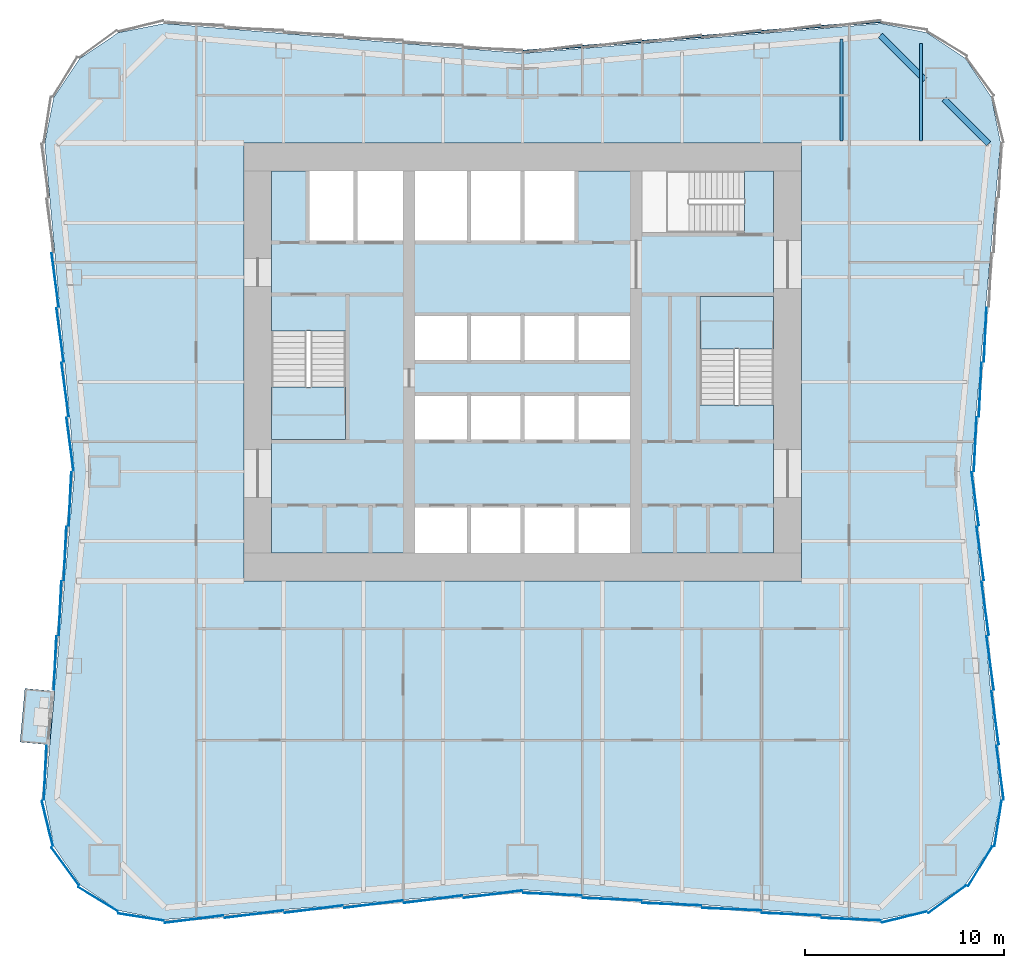
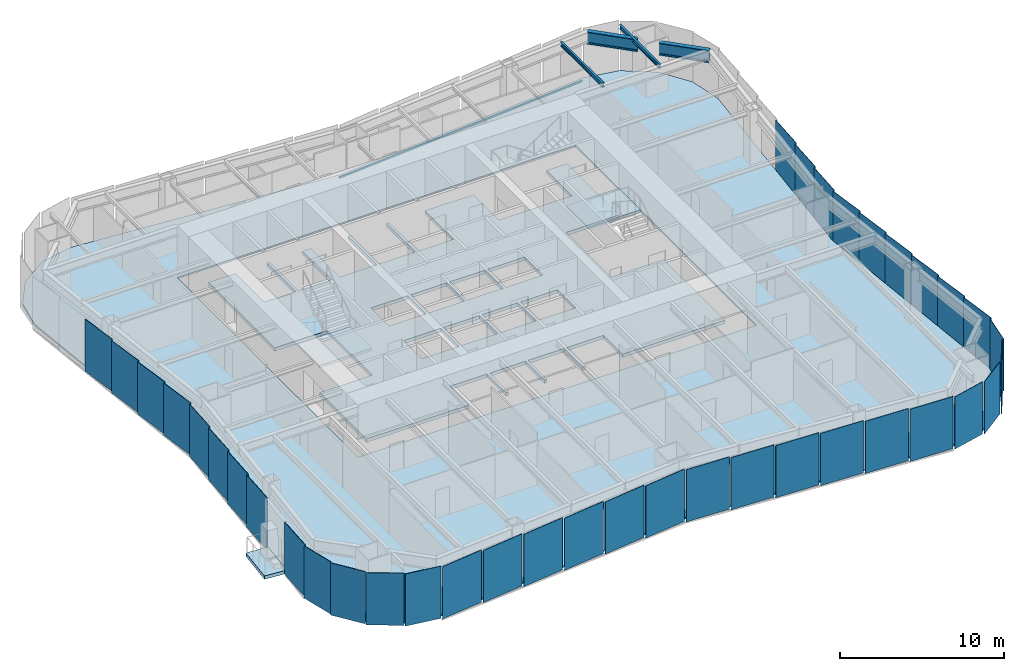
# One storey, part 2 of 8: 38 plates, 5 slabs, 4 beams, 1 member, 8 elements without a shape of their own.
"""IFC4 building model written with IfcOpenShell, lengths in metres."""

from ifc_helpers import new_model, si_unit, direction, frame, origin, origin_2d, place, context, subcontext, project, spatial, polyline, rectangle, i_section, outline, extrude, material, layer, layer_set, material_profile, profile_set, type_object, element, aggregate, save


model = new_model("IFC4")

# Units and contexts
model_context = context("Model", 3, precision=1e-05, world=origin(), true_north=direction((0.0, 1.0)))
body_context = subcontext(model_context, "Body", "Model", "MODEL_VIEW")
ifc_project = project(units=[si_unit("LENGTHUNIT", "METRE"), si_unit("AREAUNIT", "SQUARE_METRE"), si_unit("VOLUMEUNIT", "CUBIC_METRE"), si_unit("PLANEANGLEUNIT", "RADIAN"), si_unit("MASSUNIT", "GRAM", prefix="KILO")], contexts=[model_context])

# Site, building, storey
site_placement = place(None, origin())
site = spatial("IfcSite", under=ifc_project, at=site_placement, CompositionType="ELEMENT")
building_placement = place(site_placement, origin())
building = spatial("IfcBuilding", under=site, at=building_placement, Name="Verdant Reach Tower", CompositionType="ELEMENT")
storey_placement = place(building_placement, frame((0.0, 0.0, 46.0)))
storey = spatial("IfcBuildingStorey", under=building, at=storey_placement, Name="L10", CompositionType="ELEMENT", Elevation=46.0)

# Curtain wall, member
ifc_material_1 = material(Name="Anodised aluminium", Category="aluminium")
curtain_wall_type = type_object("IfcCurtainWallType", Name="EN-CW SYSTEM Z0", PredefinedType="NOTDEFINED", material=ifc_material_1)
curtain_wall_1_placement = place(storey_placement, origin())
curtain_wall_1 = element("IfcCurtainWall", 1, at=curtain_wall_1_placement, inside=storey, type_object=curtain_wall_type, Name="Curtain wall north, L10", PredefinedType="NOTDEFINED")
ifc_material_profile_1 = material_profile(ifc_material_1, rectangle(XDim=0.10009765625, YDim=0.1201171875, at=origin_2d()), Name="Transom 120x100")
ifc_profile_set_1 = profile_set([ifc_material_profile_1], Name="Anodised aluminium")
member_type = type_object("IfcMemberType", Name="EN-TRANSOM Z0", PredefinedType="USERDEFINED", material=ifc_profile_set_1)
member_placement = place(storey_placement, frame((17.975830078125, 45.097412109375, -0.2900390625), z_axis=(-0.996548656072, -0.083010698588, 0.0), x_axis=(0.083010698588, -0.996548656072, 0.0)))
member = element("IfcMember", 2, at=member_placement, type_object=member_type, Name="Transom north face part 1 1.1, L10", ObjectType="TRANSOM", PredefinedType="USERDEFINED", context=body_context, shape_type="SweptSolid", body=[
    extrude(rectangle(XDim=0.10009765625, YDim=0.1201171875, at=origin_2d()), origin(), (0.0, 0.0, 1.0), 18.00830078125),
])
aggregate(curtain_wall_1, [member])

# Beams
ifc_material_2 = material(Name="Steel S355", Category="steel")
ifc_material_profile_2 = material_profile(ifc_material_2, i_section(OverallWidth=0.14990234375, OverallDepth=0.300048828125, WebThickness=0.007080078125, FlangeThickness=0.0107421875, FilletRadius=0.014892578125, at=origin_2d()), Name="IPE 300")
ifc_profile_set_2 = profile_set([ifc_material_profile_2], Name="Steel S355")
beam_type_1 = type_object("IfcBeamType", Name="ST-JOIST-IPE300", PredefinedType="JOIST", material=ifc_profile_set_2)
beam_1_placement = place(storey_placement, frame((16.0, 39.10009765625, 3.719970703125), z_axis=(0.0, 1.0, 0.0), x_axis=(-1.0, 0.0, 0.0)))
element("IfcBeam", 3, at=beam_1_placement, inside=storey, type_object=beam_type_1, Name="Floor joist, L10", PredefinedType="JOIST", context=body_context, shape_type="SweptSolid", body=[
    extrude(i_section(OverallWidth=0.14990234375, OverallDepth=0.300048828125, WebThickness=0.007080078125, FlangeThickness=0.0107421875, FilletRadius=0.014892578125, at=origin_2d()), origin(), (0.0, 0.0, 1.0), 5.131103515625),
])
beam_2_placement = place(storey_placement, frame((20.0, 39.10009765625, 3.719970703125), z_axis=(0.0, 1.0, 0.0), x_axis=(-1.0, 0.0, 0.0)))
element("IfcBeam", 4, at=beam_2_placement, inside=storey, type_object=beam_type_1, Name="Floor joist, L10", PredefinedType="JOIST", context=body_context, shape_type="SweptSolid", body=[
    extrude(i_section(OverallWidth=0.14990234375, OverallDepth=0.300048828125, WebThickness=0.007080078125, FlangeThickness=0.0107421875, FilletRadius=0.014892578125, at=origin_2d()), origin(), (0.0, 0.0, 1.0), 4.890380859375),
])
ifc_material_profile_3 = material_profile(ifc_material_2, i_section(OverallWidth=0.302001953125, OverallDepth=0.909912109375, WebThickness=0.02099609375, FlangeThickness=0.0400390625, FilletRadius=0.030029296875, at=origin_2d()), Name="HEM 900")
ifc_profile_set_3 = profile_set([ifc_material_profile_3], Name="Steel S355")
beam_type_2 = type_object("IfcBeamType", Name="ST-SPANDREL-HEM900", PredefinedType="SPANDREL", material=ifc_profile_set_3)
beam_3_placement = place(storey_placement, frame((17.9658203125, 44.39501953125, 3.4150390625), z_axis=(0.707222697162, -0.706990846206, 0.0), x_axis=(0.706990846206, 0.707222697162, 0.0)))
element("IfcBeam", 5, at=beam_3_placement, inside=storey, type_object=beam_type_2, Name="Edge beam, L10", PredefinedType="SPANDREL", context=body_context, shape_type="SweptSolid", body=[
    extrude(i_section(OverallWidth=0.302001953125, OverallDepth=0.909912109375, WebThickness=0.02099609375, FlangeThickness=0.0400390625, FilletRadius=0.030029296875, at=origin_2d()), origin(), (0.0, 0.0, 1.0), 3.158935546875),
])
beam_4_placement = place(storey_placement, frame((21.161865234375, 41.199951171875, 3.4150390625), z_axis=(0.70722277322, -0.706990770123, 0.0), x_axis=(0.706990770123, 0.70722277322, 0.0)))
element("IfcBeam", 6, at=beam_4_placement, inside=storey, type_object=beam_type_2, Name="Edge beam, L10", PredefinedType="SPANDREL", context=body_context, shape_type="SweptSolid", body=[
    extrude(i_section(OverallWidth=0.302001953125, OverallDepth=0.909912109375, WebThickness=0.02099609375, FlangeThickness=0.0400390625, FilletRadius=0.030029296875, at=origin_2d()), origin(), (0.0, 0.0, 1.0), 3.156982421875),
])

# Stair, slab
ifc_material_3 = material(Name="Concrete C40/50", Category="concrete")
stair_type = type_object("IfcStairType", Name="CO-STAIR", PredefinedType="HALF_TURN_STAIR", material=ifc_material_3)
stair_1_placement = place(storey_placement, origin())
stair_1 = element("IfcStair", 7, at=stair_1_placement, inside=storey, type_object=stair_type, Name="L10 Exit stair 1", PredefinedType="HALF_TURN_STAIR")
ifc_layer_1 = layer(ifc_material_3, 0.199951171875)
ifc_layer_set_1 = layer_set([ifc_layer_1], Name="CO-STAIR-LANDING")
slab_type_1 = type_object("IfcSlabType", Name="CO-STAIR-LANDING", PredefinedType="LANDING", material=ifc_layer_set_1)
slab_1_placement = place(storey_placement, frame((0.0, 0.0, 1.800048828125)))
slab_1 = element("IfcSlab", 8, at=slab_1_placement, type_object=slab_type_1, Name="ST-1 landing 1", PredefinedType="LANDING", context=body_context, shape_type="SweptSolid", body=[
    extrude(outline(polyline([(-12.60009765625, 26.75), (-12.60009765625, 24.10009765625), (-8.89990234375, 24.10009765625), (-8.89990234375, 26.75), (-12.60009765625, 26.75)])), origin(), (0.0, 0.0, 1.0), 0.199951171875),
])
aggregate(stair_1, [slab_1])

stair_2_placement = place(storey_placement, origin())
stair_2 = element("IfcStair", 9, at=stair_2_placement, inside=storey, type_object=stair_type, Name="L10 Exit stair 2", PredefinedType="HALF_TURN_STAIR")
slab_2_placement = place(storey_placement, frame((0.0, 0.0, 1.800048828125)))
slab_2 = element("IfcSlab", 10, at=slab_2_placement, type_object=slab_type_1, Name="ST-2 landing 1", PredefinedType="LANDING", context=body_context, shape_type="SweptSolid", body=[
    extrude(outline(polyline([(12.60009765625, 28.64990234375), (12.60009765625, 31.300048828125), (8.89990234375, 31.300048828125), (8.89990234375, 28.64990234375), (12.60009765625, 28.64990234375)])), origin(), (0.0, 0.0, 1.0), 0.199951171875),
])
aggregate(stair_2, [slab_2])

# Slab
ifc_material_4 = material(Name="Concrete C35/45", Category="concrete")
ifc_layer_2 = layer(ifc_material_4, 0.25)
ifc_layer_set_2 = layer_set([ifc_layer_2], Name="EN-BALCONY SLAB")
slab_type_2 = type_object("IfcSlabType", Name="EN-BALCONY SLAB", PredefinedType="FLOOR", material=ifc_layer_set_2)
slab_3_placement = place(storey_placement, frame((0.0, 0.0, -0.25)))
element("IfcSlab", 11, at=slab_3_placement, inside=storey, type_object=slab_type_2, Name="Balcony slab 1, L10", PredefinedType="FLOOR", context=body_context, shape_type="SweptSolid", body=[
    extrude(outline(polyline([(-23.502685546875, 11.47021484375), (-23.747314453125, 8.77978515625), (-25.2412109375, 8.915771484375), (-24.99658203125, 11.60595703125), (-23.502685546875, 11.47021484375)])), origin(), (0.0, 0.0, 1.0), 0.25),
])

# Curtain wall, plates
curtain_wall_2_placement = place(storey_placement, origin())
curtain_wall_2 = element("IfcCurtainWall", 12, at=curtain_wall_2_placement, inside=storey, type_object=curtain_wall_type, Name="Curtain wall south-east corner, L10", PredefinedType="NOTDEFINED")
ifc_material_5 = material(Name="Tinted glass with champagne spandrel", Category="glass")
ifc_layer_3 = layer(ifc_material_5, 0.031982421875)
ifc_layer_set_3 = layer_set([ifc_layer_3], Name="EN-PANEL CHAMPAGNE")
plate_type_1 = type_object("IfcPlateType", Name="EN-PANEL CHAMPAGNE", PredefinedType="CURTAIN_PANEL", material=ifc_layer_set_3)
plate_1_placement = place(storey_placement, frame((19.169921875, 0.13232421875, -0.22998046875), z_axis=(0.0, 0.0, 1.0), x_axis=(0.97166347331, 0.236368556782, 0.0)))
plate_1 = element("IfcPlate", 13, at=plate_1_placement, type_object=plate_type_1, Name="Glass panel south-east corner 1.1, L10", PredefinedType="CURTAIN_PANEL", context=body_context, shape_type="SweptSolid", body=[
    extrude(rectangle(XDim=2.318603515625, YDim=0.031982421875, at=origin_2d()), origin(), (0.0, 0.0, 1.0), 3.8798828125),
])
plate_2_placement = place(storey_placement, frame((21.32373046875, 1.025390625, -0.22998046875), z_axis=(0.0, 0.0, 1.0), x_axis=(0.807456745624, 0.589926778461, 0.0)))
plate_2 = element("IfcPlate", 14, at=plate_2_placement, type_object=plate_type_1, Name="Glass panel south-east corner 2.1, L10", PredefinedType="CURTAIN_PANEL", context=body_context, shape_type="SweptSolid", body=[
    extrude(rectangle(XDim=2.32421875, YDim=0.031982421875, at=origin_2d()), origin(), (0.0, 0.0, 1.0), 3.8798828125),
])
plate_3_placement = place(storey_placement, frame((22.974609375, 2.67626953125, -0.22998046875), z_axis=(0.0, 0.0, 1.0), x_axis=(0.520291583159, 0.853988681713, 0.0)))
plate_3 = element("IfcPlate", 15, at=plate_3_placement, type_object=plate_type_1, Name="Glass panel south-east corner 3.1, L10", PredefinedType="CURTAIN_PANEL", context=body_context, shape_type="SweptSolid", body=[
    extrude(rectangle(XDim=2.32421875, YDim=0.031982421875, at=origin_2d()), origin(), (0.0, 0.0, 1.0), 3.8798828125),
])

curtain_wall_3_placement = place(storey_placement, origin())
curtain_wall_3 = element("IfcCurtainWall", 16, at=curtain_wall_3_placement, inside=storey, type_object=curtain_wall_type, Name="Curtain wall east, L10", PredefinedType="NOTDEFINED")
plate_4_placement = place(storey_placement, frame((23.974609375, 7.376953125, -0.22998046875), z_axis=(0.0, 0.0, 1.0), x_axis=(-0.131792939527, 0.991277267514, 0.0)))
plate_4 = element("IfcPlate", 17, at=plate_4_placement, type_object=plate_type_1, Name="Glass panel east face part 1 1.1, L10", PredefinedType="CURTAIN_PANEL", context=body_context, shape_type="SweptSolid", body=[
    extrude(rectangle(XDim=2.7197265625, YDim=0.031982421875, at=origin_2d()), origin(), (0.0, 0.0, 1.0), 3.8798828125),
])
plate_5_placement = place(storey_placement, frame((22.724853515625, 23.870361328125, -0.22998046875), z_axis=(0.0, 0.0, 1.0), x_axis=(0.048901687644, 0.998803596782, 0.0)))
plate_5 = element("IfcPlate", 18, at=plate_5_placement, type_object=plate_type_1, Name="Glass panel east face part 2 1.1, L10", PredefinedType="CURTAIN_PANEL", context=body_context, shape_type="SweptSolid", body=[
    extrude(rectangle(XDim=2.6962890625, YDim=0.031982421875, at=origin_2d()), origin(), (0.0, 0.0, 1.0), 3.8798828125),
])
plate_6_placement = place(storey_placement, frame((22.974609375, 26.615966796875, -0.22998046875), z_axis=(0.0, 0.0, 1.0), x_axis=(0.04875265175, 0.998810882473, 0.0)))
plate_6 = element("IfcPlate", 19, at=plate_6_placement, type_object=plate_type_1, Name="Glass panel east face part 2 2.1, L10", PredefinedType="CURTAIN_PANEL", context=body_context, shape_type="SweptSolid", body=[
    extrude(rectangle(XDim=2.705322265625, YDim=0.031982421875, at=origin_2d()), origin(), (0.0, 0.0, 1.0), 3.8798828125),
])
plate_7_placement = place(storey_placement, frame((23.224609375, 29.365966796875, -0.22998046875), z_axis=(0.0, 0.0, 1.0), x_axis=(0.04875265175, 0.998810882473, 0.0)))
plate_7 = element("IfcPlate", 20, at=plate_7_placement, type_object=plate_type_1, Name="Glass panel east face part 2 3.1, L10", PredefinedType="CURTAIN_PANEL", context=body_context, shape_type="SweptSolid", body=[
    extrude(rectangle(XDim=2.705322265625, YDim=0.031982421875, at=origin_2d()), origin(), (0.0, 0.0, 1.0), 3.8798828125),
])

curtain_wall_4_placement = place(storey_placement, origin())
curtain_wall_4 = element("IfcCurtainWall", 21, at=curtain_wall_4_placement, inside=storey, type_object=curtain_wall_type, Name="Curtain wall west, L10", PredefinedType="NOTDEFINED")
plate_8_placement = place(storey_placement, frame((-23.224609375, 29.365966796875, -0.22998046875), z_axis=(0.0, 0.0, 1.0), x_axis=(0.132160009881, -0.99122839537, 0.0)))
plate_8 = element("IfcPlate", 22, at=plate_8_placement, type_object=plate_type_1, Name="Glass panel west face part 1 4.1, L10", PredefinedType="CURTAIN_PANEL", context=body_context, shape_type="SweptSolid", body=[
    extrude(rectangle(XDim=2.705322265625, YDim=0.031982421875, at=origin_2d()), origin(), (0.0, 0.0, 1.0), 3.8798828125),
])
plate_9_placement = place(storey_placement, frame((-22.974609375, 26.615966796875, -0.22998046875), z_axis=(0.0, 0.0, 1.0), x_axis=(0.132160009881, -0.99122839537, 0.0)))
plate_9 = element("IfcPlate", 23, at=plate_9_placement, type_object=plate_type_1, Name="Glass panel west face part 1 5.1, L10", PredefinedType="CURTAIN_PANEL", context=body_context, shape_type="SweptSolid", body=[
    extrude(rectangle(XDim=2.705322265625, YDim=0.031982421875, at=origin_2d()), origin(), (0.0, 0.0, 1.0), 3.8798828125),
])
plate_10_placement = place(storey_placement, frame((-23.974609375, 7.376953125, -0.22998046875), z_axis=(0.0, 0.0, 1.0), x_axis=(-0.048382779248, -0.998828867561, 0.0)))
plate_10 = element("IfcPlate", 24, at=plate_10_placement, type_object=plate_type_1, Name="Glass panel west face part 2 6.1, L10", PredefinedType="CURTAIN_PANEL", context=body_context, shape_type="SweptSolid", body=[
    extrude(rectangle(XDim=2.7197265625, YDim=0.031982421875, at=origin_2d()), origin(), (0.0, 0.0, 1.0), 3.8798828125),
])

# Curtain wall, plate
curtain_wall_5_placement = place(storey_placement, origin())
curtain_wall_5 = element("IfcCurtainWall", 25, at=curtain_wall_5_placement, inside=storey, type_object=curtain_wall_type, Name="Curtain wall south-west corner, L10", PredefinedType="NOTDEFINED")
plate_11_placement = place(storey_placement, frame((-19.169921875, 0.13232421875, -0.22998046875), z_axis=(0.0, 0.0, 1.0), x_axis=(0.98803452381, -0.154232875093, 0.0)))
plate_11 = element("IfcPlate", 26, at=plate_11_placement, type_object=plate_type_1, Name="Glass panel south-west corner 4.1, L10", PredefinedType="CURTAIN_PANEL", context=body_context, shape_type="SweptSolid", body=[
    extrude(rectangle(XDim=2.318603515625, YDim=0.031982421875, at=origin_2d()), origin(), (0.0, 0.0, 1.0), 3.8798828125),
])

# Curtain wall, plates
curtain_wall_6_placement = place(storey_placement, origin())
curtain_wall_6 = element("IfcCurtainWall", 27, at=curtain_wall_6_placement, inside=storey, type_object=curtain_wall_type, Name="Curtain wall south, L10", PredefinedType="NOTDEFINED")
plate_12_placement = place(storey_placement, frame((-16.498779296875, 0.025146484375, -0.22998046875), z_axis=(0.0, 0.0, 1.0), x_axis=(0.992234176789, 0.124383835008, 0.0)))
plate_12 = element("IfcPlate", 28, at=plate_12_placement, type_object=plate_type_1, Name="Glass panel south face part 1 1.1, L10", PredefinedType="CURTAIN_PANEL", context=body_context, shape_type="SweptSolid", body=[
    extrude(rectangle(XDim=2.96826171875, YDim=0.031982421875, at=origin_2d()), origin(), (0.0, 0.0, 1.0), 3.8798828125),
])
plate_13_placement = place(storey_placement, frame((-13.49169921875, 0.275390625, -0.22998046875), z_axis=(0.0, 0.0, 1.0), x_axis=(0.992194034542, 0.124703639961, 0.0)))
plate_13 = element("IfcPlate", 29, at=plate_13_placement, type_object=plate_type_1, Name="Glass panel south face part 1 2.1, L10", PredefinedType="CURTAIN_PANEL", context=body_context, shape_type="SweptSolid", body=[
    extrude(rectangle(XDim=2.954345703125, YDim=0.031982421875, at=origin_2d()), origin(), (0.0, 0.0, 1.0), 3.8798828125),
])
plate_14_placement = place(storey_placement, frame((-10.49169921875, 0.525390625, -0.22998046875), z_axis=(0.0, 0.0, 1.0), x_axis=(0.992194034542, 0.124703639961, 0.0)))
plate_14 = element("IfcPlate", 30, at=plate_14_placement, type_object=plate_type_1, Name="Glass panel south face part 1 3.1, L10", PredefinedType="CURTAIN_PANEL", context=body_context, shape_type="SweptSolid", body=[
    extrude(rectangle(XDim=2.954345703125, YDim=0.031982421875, at=origin_2d()), origin(), (0.0, 0.0, 1.0), 3.8798828125),
])
plate_15_placement = place(storey_placement, frame((7.49169921875, 0.775390625, -0.22998046875), z_axis=(0.0, 0.0, 1.0), x_axis=(0.999149202059, -0.041241629766, 0.0)))
plate_15 = element("IfcPlate", 31, at=plate_15_placement, type_object=plate_type_1, Name="Glass panel south face part 2 3.1, L10", PredefinedType="CURTAIN_PANEL", context=body_context, shape_type="SweptSolid", body=[
    extrude(rectangle(XDim=2.954345703125, YDim=0.031982421875, at=origin_2d()), origin(), (0.0, 0.0, 1.0), 3.8798828125),
])
plate_16_placement = place(storey_placement, frame((10.49169921875, 0.525390625, -0.22998046875), z_axis=(0.0, 0.0, 1.0), x_axis=(0.999149202059, -0.041241629766, 0.0)))
plate_16 = element("IfcPlate", 32, at=plate_16_placement, type_object=plate_type_1, Name="Glass panel south face part 2 4.1, L10", PredefinedType="CURTAIN_PANEL", context=body_context, shape_type="SweptSolid", body=[
    extrude(rectangle(XDim=2.954345703125, YDim=0.031982421875, at=origin_2d()), origin(), (0.0, 0.0, 1.0), 3.8798828125),
])

# Plate
ifc_material_6 = material(Name="Tinted glass with copper spandrel", Category="glass")
ifc_layer_4 = layer(ifc_material_6, 0.031982421875)
ifc_layer_set_4 = layer_set([ifc_layer_4], Name="EN-PANEL COPPER")
plate_type_2 = type_object("IfcPlateType", Name="EN-PANEL COPPER", PredefinedType="CURTAIN_PANEL", material=ifc_layer_set_4)
plate_17_placement = place(storey_placement, frame((23.86767578125, 4.830078125, -0.22998046875), z_axis=(0.0, 0.0, 1.0), x_axis=(0.154210737778, 0.988037979206, 0.0)))
plate_17 = element("IfcPlate", 33, at=plate_17_placement, type_object=plate_type_2, Name="Glass panel south-east corner 4.1, L10", PredefinedType="CURTAIN_PANEL", context=body_context, shape_type="SweptSolid", body=[
    extrude(rectangle(XDim=2.31884765625, YDim=0.031982421875, at=origin_2d()), origin(), (0.0, 0.0, 1.0), 3.8798828125),
])

aggregate(curtain_wall_2, [plate_1, plate_2, plate_3, plate_17])

plate_18_placement = place(storey_placement, frame((23.724609375, 10.134033203125, -0.22998046875), z_axis=(0.0, 0.0, 1.0), x_axis=(-0.132160009881, 0.99122839537, 0.0)))
plate_18 = element("IfcPlate", 34, at=plate_18_placement, type_object=plate_type_2, Name="Glass panel east face part 1 2.1, L10", PredefinedType="CURTAIN_PANEL", context=body_context, shape_type="SweptSolid", body=[
    extrude(rectangle(XDim=2.705322265625, YDim=0.031982421875, at=origin_2d()), origin(), (0.0, 0.0, 1.0), 3.8798828125),
])

plate_19_placement = place(storey_placement, frame((23.474609375, 12.884033203125, -0.22998046875), z_axis=(0.0, 0.0, 1.0), x_axis=(-0.132160009881, 0.99122839537, 0.0)))
plate_19 = element("IfcPlate", 35, at=plate_19_placement, type_object=plate_type_2, Name="Glass panel east face part 1 3.1, L10", PredefinedType="CURTAIN_PANEL", context=body_context, shape_type="SweptSolid", body=[
    extrude(rectangle(XDim=2.705322265625, YDim=0.031982421875, at=origin_2d()), origin(), (0.0, 0.0, 1.0), 3.8798828125),
])

plate_20_placement = place(storey_placement, frame((23.224609375, 15.634033203125, -0.22998046875), z_axis=(0.0, 0.0, 1.0), x_axis=(-0.132160009881, 0.99122839537, 0.0)))
plate_20 = element("IfcPlate", 36, at=plate_20_placement, type_object=plate_type_2, Name="Glass panel east face part 1 4.1, L10", PredefinedType="CURTAIN_PANEL", context=body_context, shape_type="SweptSolid", body=[
    extrude(rectangle(XDim=2.705322265625, YDim=0.031982421875, at=origin_2d()), origin(), (0.0, 0.0, 1.0), 3.8798828125),
])

plate_21_placement = place(storey_placement, frame((-22.724853515625, 23.870361328125, -0.22998046875), z_axis=(0.0, 0.0, 1.0), x_axis=(0.132307913434, -0.991208664229, 0.0)))
plate_21 = element("IfcPlate", 37, at=plate_21_placement, type_object=plate_type_2, Name="Glass panel west face part 1 6.1, L10", PredefinedType="CURTAIN_PANEL", context=body_context, shape_type="SweptSolid", body=[
    extrude(rectangle(XDim=2.6962890625, YDim=0.031982421875, at=origin_2d()), origin(), (0.0, 0.0, 1.0), 3.8798828125),
])

plate_22_placement = place(storey_placement, frame((-22.724853515625, 21.129638671875, -0.22998046875), z_axis=(0.0, 0.0, 1.0), x_axis=(-0.048901687644, -0.998803596782, 0.0)))
plate_22 = element("IfcPlate", 38, at=plate_22_placement, type_object=plate_type_2, Name="Glass panel west face part 2 1.1, L10", PredefinedType="CURTAIN_PANEL", context=body_context, shape_type="SweptSolid", body=[
    extrude(rectangle(XDim=2.6962890625, YDim=0.031982421875, at=origin_2d()), origin(), (0.0, 0.0, 1.0), 3.8798828125),
])

plate_23_placement = place(storey_placement, frame((-22.974609375, 18.384033203125, -0.22998046875), z_axis=(0.0, 0.0, 1.0), x_axis=(-0.04875265175, -0.998810882473, 0.0)))
plate_23 = element("IfcPlate", 39, at=plate_23_placement, type_object=plate_type_2, Name="Glass panel west face part 2 2.1, L10", PredefinedType="CURTAIN_PANEL", context=body_context, shape_type="SweptSolid", body=[
    extrude(rectangle(XDim=2.705322265625, YDim=0.031982421875, at=origin_2d()), origin(), (0.0, 0.0, 1.0), 3.8798828125),
])

plate_24_placement = place(storey_placement, frame((-7.49169921875, 0.775390625, -0.22998046875), z_axis=(0.0, 0.0, 1.0), x_axis=(0.992194034542, 0.124703639961, 0.0)))
plate_24 = element("IfcPlate", 40, at=plate_24_placement, type_object=plate_type_2, Name="Glass panel south face part 1 4.1, L10", PredefinedType="CURTAIN_PANEL", context=body_context, shape_type="SweptSolid", body=[
    extrude(rectangle(XDim=2.954345703125, YDim=0.031982421875, at=origin_2d()), origin(), (0.0, 0.0, 1.0), 3.8798828125),
])

plate_25_placement = place(storey_placement, frame((-4.49169921875, 1.025390625, -0.22998046875), z_axis=(0.0, 0.0, 1.0), x_axis=(0.992194034542, 0.124703639961, 0.0)))
plate_25 = element("IfcPlate", 41, at=plate_25_placement, type_object=plate_type_2, Name="Glass panel south face part 1 5.1, L10", PredefinedType="CURTAIN_PANEL", context=body_context, shape_type="SweptSolid", body=[
    extrude(rectangle(XDim=2.954345703125, YDim=0.031982421875, at=origin_2d()), origin(), (0.0, 0.0, 1.0), 3.8798828125),
])

plate_26_placement = place(storey_placement, frame((13.49169921875, 0.275390625, -0.22998046875), z_axis=(0.0, 0.0, 1.0), x_axis=(0.999149202059, -0.041241629766, 0.0)))
plate_26 = element("IfcPlate", 42, at=plate_26_placement, type_object=plate_type_2, Name="Glass panel south face part 2 5.1, L10", PredefinedType="CURTAIN_PANEL", context=body_context, shape_type="SweptSolid", body=[
    extrude(rectangle(XDim=2.954345703125, YDim=0.031982421875, at=origin_2d()), origin(), (0.0, 0.0, 1.0), 3.8798828125),
])

plate_27_placement = place(storey_placement, frame((16.498779296875, 0.025146484375, -0.22998046875), z_axis=(0.0, 0.0, 1.0), x_axis=(0.999162442933, -0.040919587398, 0.0)))
plate_27 = element("IfcPlate", 43, at=plate_27_placement, type_object=plate_type_2, Name="Glass panel south face part 2 6.1, L10", PredefinedType="CURTAIN_PANEL", context=body_context, shape_type="SweptSolid", body=[
    extrude(rectangle(XDim=2.96826171875, YDim=0.031982421875, at=origin_2d()), origin(), (0.0, 0.0, 1.0), 3.8798828125),
])

ifc_material_7 = material(Name="Tinted glass with dark bronze spandrel", Category="glass")
ifc_layer_5 = layer(ifc_material_7, 0.031982421875)
ifc_layer_set_5 = layer_set([ifc_layer_5], Name="EN-PANEL DARK")
plate_type_3 = type_object("IfcPlateType", Name="EN-PANEL DARK", PredefinedType="CURTAIN_PANEL", material=ifc_layer_set_5)
plate_28_placement = place(storey_placement, frame((22.974609375, 18.384033203125, -0.22998046875), z_axis=(0.0, 0.0, 1.0), x_axis=(-0.132160009881, 0.99122839537, 0.0)))
plate_28 = element("IfcPlate", 44, at=plate_28_placement, type_object=plate_type_3, Name="Glass panel east face part 1 5.1, L10", PredefinedType="CURTAIN_PANEL", context=body_context, shape_type="SweptSolid", body=[
    extrude(rectangle(XDim=2.705322265625, YDim=0.031982421875, at=origin_2d()), origin(), (0.0, 0.0, 1.0), 3.8798828125),
])

plate_29_placement = place(storey_placement, frame((22.724853515625, 21.129638671875, -0.22998046875), z_axis=(0.0, 0.0, 1.0), x_axis=(-0.132307913434, 0.991208664229, 0.0)))
plate_29 = element("IfcPlate", 45, at=plate_29_placement, type_object=plate_type_3, Name="Glass panel east face part 1 6.1, L10", PredefinedType="CURTAIN_PANEL", context=body_context, shape_type="SweptSolid", body=[
    extrude(rectangle(XDim=2.6962890625, YDim=0.031982421875, at=origin_2d()), origin(), (0.0, 0.0, 1.0), 3.8798828125),
])

aggregate(curtain_wall_3, [plate_4, plate_18, plate_19, plate_20, plate_28, plate_29, plate_5, plate_6, plate_7])

plate_30_placement = place(storey_placement, frame((-23.474609375, 32.115966796875, -0.22998046875), z_axis=(0.0, 0.0, 1.0), x_axis=(0.132160009881, -0.99122839537, 0.0)))
plate_30 = element("IfcPlate", 46, at=plate_30_placement, type_object=plate_type_3, Name="Glass panel west face part 1 3.1, L10", PredefinedType="CURTAIN_PANEL", context=body_context, shape_type="SweptSolid", body=[
    extrude(rectangle(XDim=2.705322265625, YDim=0.031982421875, at=origin_2d()), origin(), (0.0, 0.0, 1.0), 3.8798828125),
])

plate_31_placement = place(storey_placement, frame((-23.224609375, 15.634033203125, -0.22998046875), z_axis=(0.0, 0.0, 1.0), x_axis=(-0.04875265175, -0.998810882473, 0.0)))
plate_31 = element("IfcPlate", 47, at=plate_31_placement, type_object=plate_type_3, Name="Glass panel west face part 2 3.1, L10", PredefinedType="CURTAIN_PANEL", context=body_context, shape_type="SweptSolid", body=[
    extrude(rectangle(XDim=2.705322265625, YDim=0.031982421875, at=origin_2d()), origin(), (0.0, 0.0, 1.0), 3.8798828125),
])

plate_32_placement = place(storey_placement, frame((-23.474609375, 12.884033203125, -0.22998046875), z_axis=(0.0, 0.0, 1.0), x_axis=(-0.04875265175, -0.998810882473, 0.0)))
plate_32 = element("IfcPlate", 48, at=plate_32_placement, type_object=plate_type_3, Name="Glass panel west face part 2 4.1, L10", PredefinedType="CURTAIN_PANEL", context=body_context, shape_type="SweptSolid", body=[
    extrude(rectangle(XDim=2.705322265625, YDim=0.031982421875, at=origin_2d()), origin(), (0.0, 0.0, 1.0), 3.8798828125),
])

aggregate(curtain_wall_4, [plate_30, plate_8, plate_9, plate_21, plate_22, plate_23, plate_31, plate_32, plate_10])

plate_33_placement = place(storey_placement, frame((-23.86767578125, 4.830078125, -0.22998046875), z_axis=(0.0, 0.0, 1.0), x_axis=(0.236346786246, -0.97166876899, 0.0)))
plate_33 = element("IfcPlate", 49, at=plate_33_placement, type_object=plate_type_3, Name="Glass panel south-west corner 1.1, L10", PredefinedType="CURTAIN_PANEL", context=body_context, shape_type="SweptSolid", body=[
    extrude(rectangle(XDim=2.31884765625, YDim=0.031982421875, at=origin_2d()), origin(), (0.0, 0.0, 1.0), 3.8798828125),
])

plate_34_placement = place(storey_placement, frame((-22.974609375, 2.67626953125, -0.22998046875), z_axis=(0.0, 0.0, 1.0), x_axis=(0.589926778461, -0.807456745624, 0.0)))
plate_34 = element("IfcPlate", 50, at=plate_34_placement, type_object=plate_type_3, Name="Glass panel south-west corner 2.1, L10", PredefinedType="CURTAIN_PANEL", context=body_context, shape_type="SweptSolid", body=[
    extrude(rectangle(XDim=2.32421875, YDim=0.031982421875, at=origin_2d()), origin(), (0.0, 0.0, 1.0), 3.8798828125),
])

plate_35_placement = place(storey_placement, frame((-21.32373046875, 1.025390625, -0.22998046875), z_axis=(0.0, 0.0, 1.0), x_axis=(0.853988681713, -0.520291583159, 0.0)))
plate_35 = element("IfcPlate", 51, at=plate_35_placement, type_object=plate_type_3, Name="Glass panel south-west corner 3.1, L10", PredefinedType="CURTAIN_PANEL", context=body_context, shape_type="SweptSolid", body=[
    extrude(rectangle(XDim=2.32421875, YDim=0.031982421875, at=origin_2d()), origin(), (0.0, 0.0, 1.0), 3.8798828125),
])

aggregate(curtain_wall_5, [plate_33, plate_34, plate_35, plate_11])

plate_36_placement = place(storey_placement, frame((-1.495849609375, 1.275146484375, -0.22998046875), z_axis=(0.0, 0.0, 1.0), x_axis=(0.992179679439, 0.124817802047, 0.0)))
plate_36 = element("IfcPlate", 52, at=plate_36_placement, type_object=plate_type_3, Name="Glass panel south face part 1 6.1, L10", PredefinedType="CURTAIN_PANEL", context=body_context, shape_type="SweptSolid", body=[
    extrude(rectangle(XDim=2.946044921875, YDim=0.031982421875, at=origin_2d()), origin(), (0.0, 0.0, 1.0), 3.8798828125),
])

plate_37_placement = place(storey_placement, frame((1.495849609375, 1.275146484375, -0.22998046875), z_axis=(0.0, 0.0, 1.0), x_axis=(0.999144450138, -0.041356592674, 0.0)))
plate_37 = element("IfcPlate", 53, at=plate_37_placement, type_object=plate_type_3, Name="Glass panel south face part 2 1.1, L10", PredefinedType="CURTAIN_PANEL", context=body_context, shape_type="SweptSolid", body=[
    extrude(rectangle(XDim=2.946044921875, YDim=0.031982421875, at=origin_2d()), origin(), (0.0, 0.0, 1.0), 3.8798828125),
])

plate_38_placement = place(storey_placement, frame((4.49169921875, 1.025390625, -0.22998046875), z_axis=(0.0, 0.0, 1.0), x_axis=(0.999149202059, -0.041241629766, 0.0)))
plate_38 = element("IfcPlate", 54, at=plate_38_placement, type_object=plate_type_3, Name="Glass panel south face part 2 2.1, L10", PredefinedType="CURTAIN_PANEL", context=body_context, shape_type="SweptSolid", body=[
    extrude(rectangle(XDim=2.954345703125, YDim=0.031982421875, at=origin_2d()), origin(), (0.0, 0.0, 1.0), 3.8798828125),
])

aggregate(curtain_wall_6, [plate_12, plate_13, plate_14, plate_24, plate_25, plate_36, plate_37, plate_38, plate_15, plate_16, plate_26, plate_27])

# Slabs
ifc_material_8 = material(Name="Concrete C35/45", Category="concrete")
ifc_layer_6 = layer(ifc_material_8, 0.1298828125)
ifc_layer_set_6 = layer_set([ifc_layer_6], Name="ST-SLAB-130")
slab_type_3 = type_object("IfcSlabType", Name="ST-SLAB-130", PredefinedType="FLOOR", material=ifc_layer_set_6)
slab_4_placement = place(storey_placement, frame((0.0, 0.0, -0.1298828125)))
element("IfcSlab", 55, at=slab_4_placement, inside=storey, type_object=slab_type_3, Name="Floor slab L10", PredefinedType="FLOOR", context=body_context, shape_type="SweptSolid", body=[
    extrude(outline(polyline([(0.0, 1.5), (-18.0, 0.0), (-20.296142578125, 0.456787109375), (-22.24267578125, 1.75732421875), (-23.543212890625, 3.703857421875), (-24.0, 6.0), (-22.5, 22.5), (-24.0, 39.0), (-23.543212890625, 41.296142578125), (-22.24267578125, 43.24267578125), (-20.296142578125, 44.543212890625), (-18.0, 45.0), (0.0, 43.5), (18.0, 45.0), (20.296142578125, 44.543212890625), (22.24267578125, 43.24267578125), (23.543212890625, 41.296142578125), (24.0, 39.0), (22.5, 22.5), (24.0, 6.0), (23.543212890625, 3.703857421875), (22.24267578125, 1.75732421875), (20.296142578125, 0.456787109375), (18.0, 0.0), (0.0, 1.5)]), holes=[polyline([(14.0, 39.0), (-14.0, 39.0), (-14.0, 17.0), (14.0, 17.0), (14.0, 39.0)])]), origin(), (0.0, 0.0, 1.0), 0.1298828125),
])
ifc_layer_7 = layer(ifc_material_8, 0.25)
ifc_layer_set_7 = layer_set([ifc_layer_7], Name="ST-SLAB-250")
slab_type_4 = type_object("IfcSlabType", Name="ST-SLAB-250", PredefinedType="FLOOR", material=ifc_layer_set_7)
slab_5_placement = place(storey_placement, frame((0.0, 0.0, -0.25)))
element("IfcSlab", 56, at=slab_5_placement, inside=storey, type_object=slab_type_4, Name="Core floor slab L10", PredefinedType="FLOOR", context=body_context, shape_type="SweptSolid", body=[
    extrude(outline(polyline([(12.60009765625, 18.39990234375), (5.39990234375, 18.39990234375), (5.39990234375, 20.699951171875), (2.800048828125, 20.699951171875), (2.800048828125, 18.39990234375), (2.60009765625, 18.39990234375), (2.60009765625, 20.699951171875), (0.10009765625, 20.699951171875), (0.10009765625, 18.39990234375), (-0.10009765625, 18.39990234375), (-0.10009765625, 20.699951171875), (-2.60009765625, 20.699951171875), (-2.60009765625, 18.39990234375), (-2.800048828125, 18.39990234375), (-2.800048828125, 20.699951171875), (-5.39990234375, 20.699951171875), (-5.39990234375, 18.39990234375), (-12.60009765625, 18.39990234375), (-12.60009765625, 24.10009765625), (-8.89990234375, 24.10009765625), (-8.89990234375, 29.548095703125), (-12.60009765625, 29.548095703125), (-12.60009765625, 37.60009765625), (-10.699951171875, 37.60009765625), (-10.699951171875, 34.10009765625), (-8.5, 34.10009765625), (-8.5, 37.60009765625), (-8.300048828125, 37.60009765625), (-8.300048828125, 34.10009765625), (-6.0, 34.10009765625), (-6.0, 37.60009765625), (-5.39990234375, 37.60009765625), (-5.39990234375, 34.10009765625), (-2.800048828125, 34.10009765625), (-2.800048828125, 37.60009765625), (-2.60009765625, 37.60009765625), (-2.60009765625, 34.10009765625), (-0.10009765625, 34.10009765625), (-0.10009765625, 37.60009765625), (0.10009765625, 37.60009765625), (0.10009765625, 34.10009765625), (2.60009765625, 34.10009765625), (2.60009765625, 37.60009765625), (6.0, 37.60009765625), (6.0, 34.5), (11.14794921875, 34.5), (11.14794921875, 37.60009765625), (12.60009765625, 37.60009765625), (12.60009765625, 31.300048828125), (8.89990234375, 31.300048828125), (8.89990234375, 25.85205078125), (12.60009765625, 25.85205078125), (12.60009765625, 18.39990234375)]), holes=[polyline([(-2.800048828125, 24.10009765625), (-2.800048828125, 26.300048828125), (-5.39990234375, 26.300048828125), (-5.39990234375, 24.10009765625), (-2.800048828125, 24.10009765625)]), polyline([(-2.60009765625, 24.10009765625), (-0.10009765625, 24.10009765625), (-0.10009765625, 26.300048828125), (-2.60009765625, 26.300048828125), (-2.60009765625, 24.10009765625)]), polyline([(-2.800048828125, 28.10009765625), (-2.800048828125, 30.300048828125), (-5.39990234375, 30.300048828125), (-5.39990234375, 28.10009765625), (-2.800048828125, 28.10009765625)]), polyline([(-0.10009765625, 28.10009765625), (-0.10009765625, 30.300048828125), (-2.60009765625, 30.300048828125), (-2.60009765625, 28.10009765625), (-0.10009765625, 28.10009765625)]), polyline([(2.60009765625, 24.10009765625), (2.60009765625, 26.300048828125), (0.10009765625, 26.300048828125), (0.10009765625, 24.10009765625), (2.60009765625, 24.10009765625)]), polyline([(2.800048828125, 24.10009765625), (5.39990234375, 24.10009765625), (5.39990234375, 26.300048828125), (2.800048828125, 26.300048828125), (2.800048828125, 24.10009765625)]), polyline([(2.60009765625, 28.10009765625), (2.60009765625, 30.300048828125), (0.10009765625, 30.300048828125), (0.10009765625, 28.10009765625), (2.60009765625, 28.10009765625)]), polyline([(5.39990234375, 28.10009765625), (5.39990234375, 30.300048828125), (2.800048828125, 30.300048828125), (2.800048828125, 28.10009765625), (5.39990234375, 28.10009765625)])]), origin(), (0.0, 0.0, 1.0), 0.25),
])

save(model, "model.ifc")
